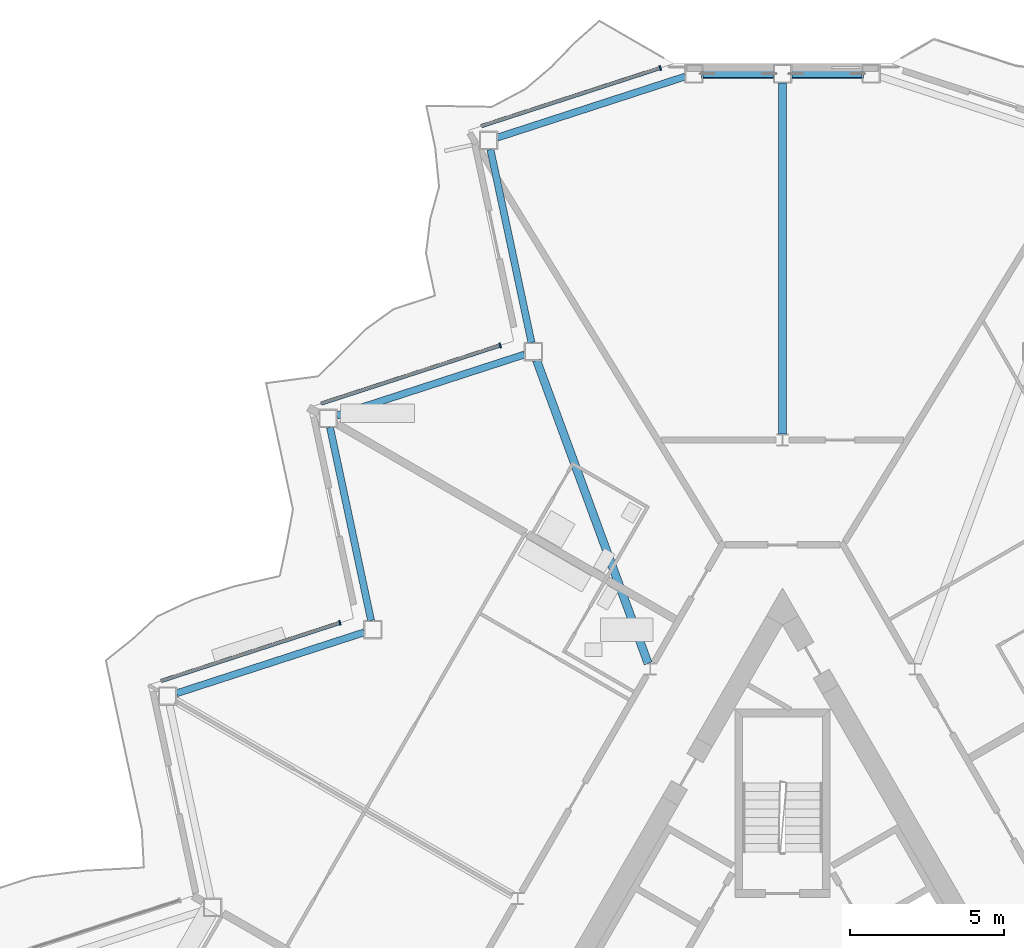
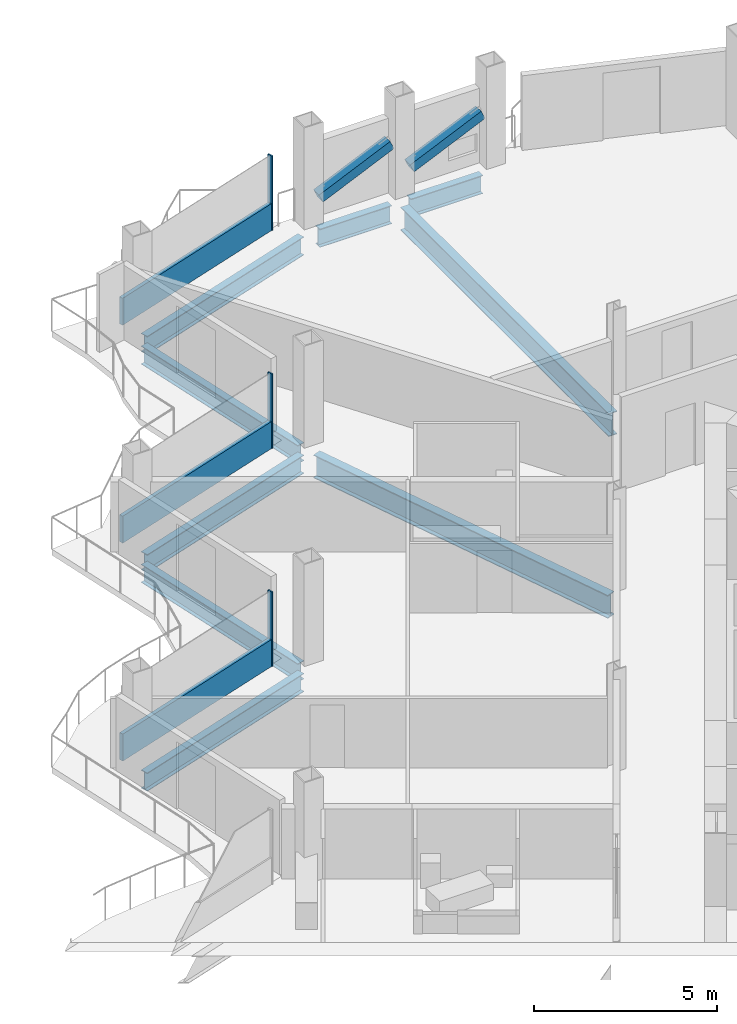
# One storey, part 10 of 28: 9 beams, 8 members, 3 elements without a shape of their own.
"""IFC4 building model written with IfcOpenShell, lengths in metres."""

import ifcopenshell
import ifcopenshell.guid

model = None  # the IFC model being written
_history = None  # IfcOwnerHistory: only IFC2X3 demands one
_inside = {}  # id of a spatial element -> (the spatial element, [elements in it])
_under = {}  # id of a project, library or spatial element -> (it, [spatial elements below it])
_declared = {}  # id of a project -> (the project, [libraries it declares])
_typed = {}  # id of a type object -> (the type object, [elements of that type])
_made_of = {}  # id of a material, layer set ... -> (it, [elements and type objects made of it])


def new_model(schema):
    """Start an empty IFC model of exactly this schema.

    Asked for "IFC4X3", IfcOpenShell would pick the latest addendum, in which some entities
    have other attributes; the version numbers below select the first issue.
    IFC2X3 requires an IfcOwnerHistory on every rooted entity: one is made here for all.
    """
    global model, _history
    if schema == "IFC4X3":
        model = ifcopenshell.file(schema_version=(4, 3, 0, 0))
    else:
        model = ifcopenshell.file(schema=schema)
    _inside.clear()
    _under.clear()
    _declared.clear()
    _typed.clear()
    _made_of.clear()
    _history = None
    if model.schema == "IFC2X3":
        org = make("IfcOrganization", Name="unknown")
        user = make(
            "IfcPersonAndOrganization",
            ThePerson=make("IfcPerson", FamilyName="unknown"),
            TheOrganization=org,
        )
        app = make(
            "IfcApplication",
            ApplicationDeveloper=org,
            Version="unknown",
            ApplicationFullName="unknown",
            ApplicationIdentifier="unknown",
        )
        _history = make(
            "IfcOwnerHistory",
            OwningUser=user,
            OwningApplication=app,
            ChangeAction="ADDED",
            CreationDate=0,
        )
    return model


def make(cls, **values):
    """One entity of the class cls with the attributes given. An attribute that is None is left unset."""
    return model.create_entity(
        cls, **{name: value for name, value in values.items() if value is not None}
    )


def rooted(cls, **values):
    """An entity with a GlobalId (a new one), such as an element, a storey or a relation."""
    return make(cls, GlobalId=ifcopenshell.guid.new(), OwnerHistory=_history, **values)


def si_unit(unit_type, name, prefix=None):
    """IfcSIUnit, for example si_unit("LENGTHUNIT", "METRE", prefix="MILLI")."""
    return make("IfcSIUnit", UnitType=unit_type, Prefix=prefix, Name=name)


def assignment(units):
    """IfcUnitAssignment: the units of a project."""
    return None if units is None else make("IfcUnitAssignment", Units=units)


def point(xyz):
    """IfcCartesianPoint."""
    return None if xyz is None else make("IfcCartesianPoint", Coordinates=xyz)


def direction(xyz):
    """IfcDirection."""
    return None if xyz is None else make("IfcDirection", DirectionRatios=xyz)


def frame(location, z_axis=None, x_axis=None):
    """IfcAxis2Placement3D, a coordinate frame: its origin and axes. An axis left out is left unset."""
    return make(
        "IfcAxis2Placement3D",
        Location=point(location),
        Axis=direction(z_axis),
        RefDirection=direction(x_axis),
    )


def frame_2d(location, x_axis=None):
    """IfcAxis2Placement2D, a coordinate frame in the plane: its origin and x axis."""
    return make(
        "IfcAxis2Placement2D", Location=point(location), RefDirection=direction(x_axis)
    )


def origin():
    """The frame at (0, 0, 0) with its axes left unset."""
    return frame((0.0, 0.0, 0.0))


def origin_2d():
    """The frame at (0, 0) in the plane with its x axis left unset."""
    return frame_2d((0.0, 0.0))


def place(relative_to, where):
    """IfcLocalPlacement: puts the frame where relative to a parent placement (None: the world)."""
    return make(
        "IfcLocalPlacement", PlacementRelTo=relative_to, RelativePlacement=where
    )


def context(
    kind, dimensions, precision=None, world=None, true_north=None, identifier=None
):
    """IfcGeometricRepresentationContext, for example the 3D "Model" context."""
    return make(
        "IfcGeometricRepresentationContext",
        ContextIdentifier=identifier,
        ContextType=kind,
        CoordinateSpaceDimension=dimensions,
        Precision=precision,
        WorldCoordinateSystem=world,
        TrueNorth=true_north,
    )


def subcontext(parent, identifier, kind, view, scale=None):
    """IfcGeometricRepresentationSubContext, for example "Body" below "Model"."""
    return make(
        "IfcGeometricRepresentationSubContext",
        ContextIdentifier=identifier,
        ContextType=kind,
        ParentContext=parent,
        TargetScale=scale,
        TargetView=view,
    )


def project(units=None, contexts=None):
    """IfcProject with its units and contexts."""
    return rooted(
        "IfcProject",
        Name="project",
        RepresentationContexts=contexts,
        UnitsInContext=assignment(units),
    )


def spatial(cls, under=None, at=None, **own):
    """A site, building, storey or space (cls), placed at a placement, below another one or the project."""
    s = rooted(cls, ObjectPlacement=at, **own)
    if under is not None:
        _under.setdefault(under.id(), (under, []))[1].append(s)
    return s


def profile(cls, at=None, kind="AREA", **sizes):
    """A parametric profile (cls). Its sizes go by their IFC names, for example OverallWidth=200.0."""
    return make(cls, ProfileType=kind, Position=at, **sizes)


def rectangle(**sizes):
    """IfcRectangleProfileDef."""
    return profile("IfcRectangleProfileDef", **sizes)


def hollow_rectangle(**sizes):
    """IfcRectangleHollowProfileDef."""
    return profile("IfcRectangleHollowProfileDef", **sizes)


def i_section(**sizes):
    """IfcIShapeProfileDef."""
    return profile("IfcIShapeProfileDef", **sizes)


def extrude(swept, where, along, depth):
    """IfcExtrudedAreaSolid: the profile swept, set in the frame where, extruded along a direction by depth."""
    return make(
        "IfcExtrudedAreaSolid",
        SweptArea=swept,
        Position=where,
        ExtrudedDirection=direction(along),
        Depth=depth,
    )


def shape(context_of_items, identifier, shape_type, items):
    """IfcShapeRepresentation: the items that make up one representation, for example the "Body"."""
    return make(
        "IfcShapeRepresentation",
        ContextOfItems=context_of_items,
        RepresentationIdentifier=identifier,
        RepresentationType=shape_type,
        Items=items,
    )


def material(Name=None, Category=None):
    """IfcMaterial."""
    return make("IfcMaterial", Name=Name, Category=Category)


def layer(
    of_material, thickness, ventilated=None, Name=None, Category=None, Priority=None
):
    """IfcMaterialLayer: one layer of a wall or slab, of a material (None: an air gap)."""
    return make(
        "IfcMaterialLayer",
        Material=of_material,
        LayerThickness=thickness,
        IsVentilated=ventilated,
        Name=Name,
        Category=Category,
        Priority=Priority,
    )


def layer_set(layers, Name=None):
    """IfcMaterialLayerSet."""
    return make("IfcMaterialLayerSet", MaterialLayers=layers, LayerSetName=Name)


def material_profile(
    of_material, cross_section, Name=None, Category=None, Priority=None
):
    """IfcMaterialProfile: a cross section and its material."""
    return make(
        "IfcMaterialProfile",
        Name=Name,
        Material=of_material,
        Profile=cross_section,
        Priority=Priority,
        Category=Category,
    )


def profile_set(profiles, Name=None, composite=None):
    """IfcMaterialProfileSet."""
    return make(
        "IfcMaterialProfileSet",
        Name=Name,
        MaterialProfiles=profiles,
        CompositeProfile=composite,
    )


def made_of(thing, what):
    """Note that an element or type object is made of a material, layer set ...; save() writes the relation."""
    if what is not None:
        _made_of.setdefault(what.id(), (what, []))[1].append(thing)
    return thing


def type_object(cls, material=None, **own):
    """A type object (cls), such as IfcWallType, which elements share."""
    return made_of(rooted(cls, **own), material)


def element(
    cls,
    number,
    at=None,
    inside=None,
    cuts=None,
    type_object=None,
    material=None,
    context=None,
    identifier="Body",
    shape_type=None,
    held_by="IfcProductDefinitionShape",
    body=None,
    shapes=None,
    **own,
):
    """One element of the class cls, such as IfcWall. Its Tag is "e" and its number.

    at: its placement. inside: the storey or other place that contains it. cuts: it is an
    opening in that element (IfcRelVoidsElement). A single representation is given by context,
    identifier, shape_type and body (its items); several are given by shapes. held_by: the class
    of the entity that holds the representations. save() writes the other relations.
    """
    e = rooted(cls, Tag="e%d" % number, ObjectPlacement=at, **own)
    if body is not None:
        shapes = [shape(context, identifier, shape_type, body)]
    if shapes is not None:
        e.Representation = make(held_by, Representations=shapes)
    if inside is not None:
        _inside.setdefault(inside.id(), (inside, []))[1].append(e)
    if cuts is not None:
        rooted(
            "IfcRelVoidsElement", RelatingBuildingElement=cuts, RelatedOpeningElement=e
        )
    if type_object is not None:
        _typed.setdefault(type_object.id(), (type_object, []))[1].append(e)
    return made_of(e, material)


def aggregate(whole, parts):
    """IfcRelAggregates: a whole, such as a stair, and the parts it consists of."""
    return rooted("IfcRelAggregates", RelatingObject=whole, RelatedObjects=parts)


def save(model, path):
    """Write the relations noted so far, then the file.

    IfcRelAggregates (storeys below a building ...), IfcRelContainedInSpatialStructure (elements
    in a storey), IfcRelDefinesByType, IfcRelAssociatesMaterial and IfcRelDeclares: one each for
    every whole, place, type object, material and project.
    """
    for whole, parts in _under.values():
        aggregate(whole, parts)
    for where, things in _inside.values():
        rooted(
            "IfcRelContainedInSpatialStructure",
            RelatedElements=things,
            RelatingStructure=where,
        )
    for kind, things in _typed.values():
        rooted("IfcRelDefinesByType", RelatedObjects=things, RelatingType=kind)
    for what, things in _made_of.values():
        rooted("IfcRelAssociatesMaterial", RelatedObjects=things, RelatingMaterial=what)
    for by, libraries in _declared.values():
        rooted("IfcRelDeclares", RelatingContext=by, RelatedDefinitions=libraries)
    model.write(path)


model = new_model("IFC4")

# Units and contexts
model_context = context("Model", 3, precision=1e-05, world=origin(), true_north=direction((0.0, 1.0)))
body_context = subcontext(model_context, "Body", "Model", "MODEL_VIEW")
ifc_project = project(units=[si_unit("LENGTHUNIT", "METRE"), si_unit("AREAUNIT", "SQUARE_METRE"), si_unit("VOLUMEUNIT", "CUBIC_METRE"), si_unit("PLANEANGLEUNIT", "RADIAN"), si_unit("MASSUNIT", "GRAM", prefix="KILO")], contexts=[model_context])

# Site, building, storey
site_placement = place(None, origin())
site = spatial("IfcSite", under=ifc_project, at=site_placement, CompositionType="ELEMENT")
building_placement = place(site_placement, origin())
building = spatial("IfcBuilding", under=site, at=building_placement, Name="Cormorant Prow Tower", CompositionType="ELEMENT")
storey_placement = place(building_placement, frame((0.0, 0.0, 308.60009765625)))
storey = spatial("IfcBuildingStorey", under=building, at=storey_placement, Name="L67", CompositionType="ELEMENT", Elevation=308.60009765625)

# Members
ifc_material_1 = material(Name="Structural steel ASTM A500 Gr C", Category="steel")
ifc_material_profile_1 = material_profile(ifc_material_1, hollow_rectangle(XDim=0.3046875, YDim=0.3046875, WallThickness=0.01171875, at=origin_2d()), Name="HSS12x12x1/2")
ifc_profile_set_1 = profile_set([ifc_material_profile_1], Name="Structural steel ASTM A500 Gr C")
member_type_1 = type_object("IfcMemberType", Name="Chamfer brace HSS12x12x1/2", PredefinedType="BRACE", material=ifc_profile_set_1)
for number, where, z_axis, x_axis, name in (
    (1, (0.31494140625, 31.676025390625, 0.740966796875), (0.912529767993, 0.0, 0.409010296359), (0.0, 1.0, 0.0), "Chamfer brace BR3 at N00 L67"),
    (2, (-2.55908203125, 31.676025390625, 0.740966796875), (0.912529767993, 0.0, 0.409010296359), (0.0, 1.0, 0.0), "Chamfer brace BR3 at N01 L67"),
):
    element("IfcMember", number, at=place(storey_placement, frame(where, z_axis=z_axis, x_axis=x_axis)), inside=storey, type_object=member_type_1, Name=name, PredefinedType="BRACE", context=body_context, shape_type="SweptSolid", body=[
        extrude(hollow_rectangle(XDim=0.3046875, YDim=0.3046875, WallThickness=0.01171875, at=origin_2d()), origin(), (0.0, 0.0, 1.0), 2.459228515625),
    ])

# Beams
ifc_material_2 = material(Name="Structural steel ASTM A992 Gr 50", Category="steel")
ifc_material_profile_2 = material_profile(ifc_material_2, i_section(OverallWidth=0.267822265625, OverallDepth=0.77001953125, WebThickness=0.015625, FlangeThickness=0.025390625, at=origin_2d()), Name="W30x132")
ifc_profile_set_2 = profile_set([ifc_material_profile_2], Name="Structural steel ASTM A992 Gr 50")
beam_type_1 = type_object("IfcBeamType", Name="Radial floor beam W30x132", PredefinedType="BEAM", material=ifc_profile_set_2)
beam_1_placement = place(storey_placement, frame((0.0, 20.0087890625, -0.68505859375), z_axis=(0.0, 1.0, 0.0), x_axis=(-1.0, 0.0, 0.0)))
element("IfcBeam", 3, at=beam_1_placement, inside=storey, type_object=beam_type_1, Name="Radial floor beam FB3 1 L67", PredefinedType="BEAM", context=body_context, shape_type="SweptSolid", body=[
    extrude(i_section(OverallWidth=0.267822265625, OverallDepth=0.77001953125, WebThickness=0.015625, FlangeThickness=0.025390625, at=origin_2d()), origin(), (0.0, 0.0, 1.0), 11.3671875),
])
beam_2_placement = place(storey_placement, frame((-4.357421875, 12.5673828125, -0.68505859375), z_axis=(-0.345131226703, 0.938554439739, 0.0), x_axis=(-0.938554439739, -0.345131226703, 0.0)))
element("IfcBeam", 4, at=beam_2_placement, inside=storey, type_object=beam_type_1, Name="Radial floor beam FB3 2 L67", PredefinedType="BEAM", context=body_context, shape_type="SweptSolid", body=[
    extrude(i_section(OverallWidth=0.267822265625, OverallDepth=0.77001953125, WebThickness=0.015625, FlangeThickness=0.025390625, at=origin_2d()), origin(), (0.0, 0.0, 1.0), 10.465087890625),
])

# Curtain wall, member
ifc_material_3 = material(Name="Aluminium 6063-T6", Category="aluminium")
ifc_layer = layer(ifc_material_3, 0.159912109375)
ifc_layer_set = layer_set([ifc_layer], Name="Aluminium 6063-T6")
curtain_wall_type = type_object("IfcCurtainWallType", Name="Residential unitised curtain wall 160", PredefinedType="NOTDEFINED", material=ifc_layer_set)
curtain_wall_1_placement = place(storey_placement, origin())
curtain_wall_1 = element("IfcCurtainWall", 5, at=curtain_wall_1_placement, inside=storey, type_object=curtain_wall_type, Name="Residential curtain wall WNW00", PredefinedType="NOTDEFINED")
ifc_material_4 = material(Name="Aluminium 6063-T6", Category="aluminium")
ifc_material_profile_3 = material_profile(ifc_material_4, rectangle(XDim=0.159912109375, YDim=0.050048828125, at=origin_2d()), Name="Residential mullion 50x160")
ifc_profile_set_3 = profile_set([ifc_material_profile_3], Name="Aluminium 6063-T6")
member_type_2 = type_object("IfcMemberType", Name="Residential mullion 50x160", PredefinedType="MULLION", material=ifc_profile_set_3)
member_1_placement = place(storey_placement, frame((-3.961181640625, 31.863037109375, 0.0), z_axis=(0.0, 0.0, 1.0), x_axis=(0.309016910334, -0.951056543602, 0.0)))
member_1 = element("IfcMember", 6, at=member_1_placement, type_object=member_type_2, Name="Residential mullion WNW00", PredefinedType="MULLION", context=body_context, shape_type="SweptSolid", body=[
    extrude(rectangle(XDim=0.159912109375, YDim=0.050048828125, at=origin_2d()), origin(), (0.0, 0.0, 1.0), 2.48779296875),
])

curtain_wall_2_placement = place(storey_placement, origin())
curtain_wall_2 = element("IfcCurtainWall", 7, at=curtain_wall_2_placement, inside=storey, type_object=curtain_wall_type, Name="Residential curtain wall WNW02", PredefinedType="NOTDEFINED")
member_2_placement = place(storey_placement, frame((-9.152099609375, 22.8720703125, 0.0), z_axis=(0.0, 0.0, 1.0), x_axis=(0.309016910334, -0.951056543602, 0.0)))
member_2 = element("IfcMember", 8, at=member_2_placement, type_object=member_type_2, Name="Residential mullion WNW02", PredefinedType="MULLION", context=body_context, shape_type="SweptSolid", body=[
    extrude(rectangle(XDim=0.159912109375, YDim=0.050048828125, at=origin_2d()), origin(), (0.0, 0.0, 1.0), 2.48779296875),
])

curtain_wall_3_placement = place(storey_placement, origin())
curtain_wall_3 = element("IfcCurtainWall", 9, at=curtain_wall_3_placement, inside=storey, type_object=curtain_wall_type, Name="Residential curtain wall WNW04", PredefinedType="NOTDEFINED")
member_3_placement = place(storey_placement, frame((-14.34326171875, 13.881103515625, 0.0), z_axis=(0.0, 0.0, 1.0), x_axis=(0.309017039823, -0.951056501528, 0.0)))
member_3 = element("IfcMember", 10, at=member_3_placement, type_object=member_type_2, Name="Residential mullion WNW04", PredefinedType="MULLION", context=body_context, shape_type="SweptSolid", body=[
    extrude(rectangle(XDim=0.159912109375, YDim=0.050048828125, at=origin_2d()), origin(), (0.0, 0.0, 1.0), 2.48779296875),
])

# Member
ifc_material_5 = material(Name="Terracotta", Category="masonry")
ifc_material_profile_4 = material_profile(ifc_material_5, rectangle(XDim=0.1201171875, YDim=0.89990234375, at=origin_2d()), Name="Residential terracotta spandrel rail 120x900")
ifc_profile_set_4 = profile_set([ifc_material_profile_4], Name="Terracotta")
member_type_3 = type_object("IfcMemberType", Name="Residential terracotta spandrel rail 120x900", PredefinedType="USERDEFINED", material=ifc_profile_set_4)
member_4_placement = place(storey_placement, frame((-3.985107421875, 31.85546875, 0.449951171875), z_axis=(-0.951046488184, -0.309047856023, 0.0), x_axis=(0.309047856023, -0.951046488184, 0.0)))
member_4 = element("IfcMember", 11, at=member_4_placement, type_object=member_type_3, Name="Residential spandrel rail WNW00", ObjectType="TRANSOM", PredefinedType="USERDEFINED", context=body_context, shape_type="SweptSolid", body=[
    extrude(rectangle(XDim=0.1201171875, YDim=0.89990234375, at=origin_2d()), origin(), (0.0, 0.0, 1.0), 6.067138671875),
])

aggregate(curtain_wall_1, [member_1, member_4])

member_5_placement = place(storey_placement, frame((-9.176025390625, 22.8642578125, 0.449951171875), z_axis=(-0.951058315109, -0.309011458142, 0.0), x_axis=(0.309011458142, -0.951058315109, 0.0)))
member_5 = element("IfcMember", 12, at=member_5_placement, type_object=member_type_3, Name="Residential spandrel rail WNW02", ObjectType="TRANSOM", PredefinedType="USERDEFINED", context=body_context, shape_type="SweptSolid", body=[
    extrude(rectangle(XDim=0.1201171875, YDim=0.89990234375, at=origin_2d()), origin(), (0.0, 0.0, 1.0), 6.06689453125),
])

aggregate(curtain_wall_2, [member_2, member_5])

member_6_placement = place(storey_placement, frame((-14.366943359375, 13.873291015625, 0.449951171875), z_axis=(-0.951058315109, -0.309011458142, 0.0), x_axis=(0.309011458142, -0.951058315109, 0.0)))
member_6 = element("IfcMember", 13, at=member_6_placement, type_object=member_type_3, Name="Residential spandrel rail WNW04", ObjectType="TRANSOM", PredefinedType="USERDEFINED", context=body_context, shape_type="SweptSolid", body=[
    extrude(rectangle(XDim=0.1201171875, YDim=0.89990234375, at=origin_2d()), origin(), (0.0, 0.0, 1.0), 6.06689453125),
])

aggregate(curtain_wall_3, [member_3, member_6])

# Beams
ifc_material_6 = material(Name="Structural steel ASTM A992 Gr 50", Category="steel")
ifc_material_profile_5 = material_profile(ifc_material_6, i_section(OverallWidth=0.22900390625, OverallDepth=0.612060546875, WebThickness=0.011962890625, FlangeThickness=0.01953125, at=origin_2d()), Name="W24x84")
ifc_profile_set_5 = profile_set([ifc_material_profile_5], Name="Structural steel ASTM A992 Gr 50")
beam_type_2 = type_object("IfcBeamType", Name="Spandrel beam W24x84", PredefinedType="SPANDREL", material=ifc_profile_set_5)
for number, where, z_axis, x_axis, name in (
    (14, (2.57373046875, 31.676025390625, -0.606201171875), (-1.0, 0.0, 0.0), (0.0, -1.0, 0.0), "Spandrel beam SB3 N00-N01 L67"),
    (15, (-0.300048828125, 31.676025390625, -0.606201171875), (-1.0, 0.0, 0.0), (0.0, -1.0, 0.0), "Spandrel beam SB3 N01-WNW00 L67"),
):
    element("IfcBeam", number, at=place(storey_placement, frame(where, z_axis=z_axis, x_axis=x_axis)), inside=storey, type_object=beam_type_2, Name=name, PredefinedType="SPANDREL", context=body_context, shape_type="SweptSolid", body=[
        extrude(i_section(OverallWidth=0.22900390625, OverallDepth=0.612060546875, WebThickness=0.011962890625, FlangeThickness=0.01953125, at=origin_2d()), origin(), (0.0, 0.0, 1.0), 2.273681640625),
    ])
beam_3_placement = place(storey_placement, frame((-3.1591796875, 31.583251953125, -0.606201171875), z_axis=(-0.951064359156, -0.308992855489, 0.0), x_axis=(0.308992855489, -0.951064359156, 0.0)))
element("IfcBeam", 16, at=beam_3_placement, inside=storey, type_object=beam_type_2, Name="Spandrel beam SB3 WNW00-WNW01 L67", PredefinedType="SPANDREL", context=body_context, shape_type="SweptSolid", body=[
    extrude(i_section(OverallWidth=0.22900390625, OverallDepth=0.612060546875, WebThickness=0.011962890625, FlangeThickness=0.01953125, at=origin_2d()), origin(), (0.0, 0.0, 1.0), 6.39599609375),
])
beam_4_placement = place(storey_placement, frame((-9.465087890625, 29.220703125, -0.606201171875), z_axis=(0.20791262393, -0.978147402394, 0.0), x_axis=(0.978147402394, 0.20791262393, 0.0)))
element("IfcBeam", 17, at=beam_4_placement, inside=storey, type_object=beam_type_2, Name="Spandrel beam SB3 WNW01-WNW02 L67", PredefinedType="SPANDREL", context=body_context, shape_type="SweptSolid", body=[
    extrude(i_section(OverallWidth=0.22900390625, OverallDepth=0.612060546875, WebThickness=0.011962890625, FlangeThickness=0.01953125, at=origin_2d()), origin(), (0.0, 0.0, 1.0), 6.396240234375),
])
for number, where, z_axis, x_axis, name in (
    (18, (-8.358154296875, 22.578369140625, -0.606201171875), (-0.95105314132, -0.309027381286, 0.0), (0.309027381286, -0.95105314132, 0.0), "Spandrel beam SB3 WNW02-WNW03 L67"),
    (19, (-14.6640625, 20.215576171875, -0.606201171875), (0.207920386839, -0.978145752297, 0.0), (0.978145752297, 0.207920386839, 0.0), "Spandrel beam SB3 WNW03-WNW04 L67"),
    (20, (-13.557373046875, 13.5732421875, -0.606201171875), (-0.95105314132, -0.309027381286, 0.0), (0.309027381286, -0.95105314132, 0.0), "Spandrel beam SB3 WNW04-WNW05 L67"),
):
    element("IfcBeam", number, at=place(storey_placement, frame(where, z_axis=z_axis, x_axis=x_axis)), inside=storey, type_object=beam_type_2, Name=name, PredefinedType="SPANDREL", context=body_context, shape_type="SweptSolid", body=[
        extrude(i_section(OverallWidth=0.22900390625, OverallDepth=0.612060546875, WebThickness=0.011962890625, FlangeThickness=0.01953125, at=origin_2d()), origin(), (0.0, 0.0, 1.0), 6.39599609375),
    ])

save(model, "model.ifc")
